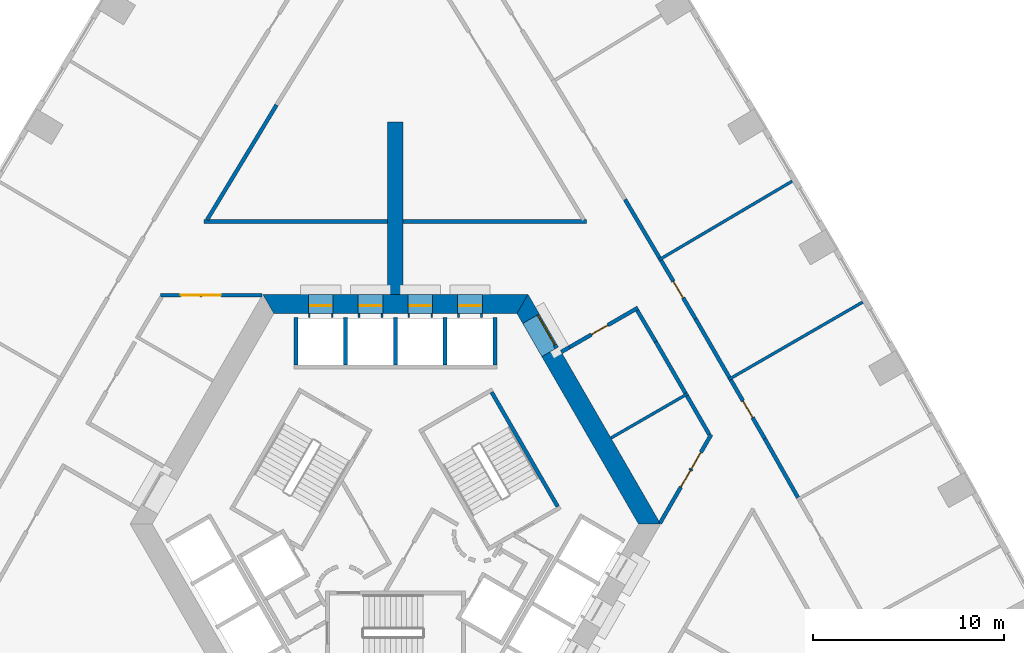
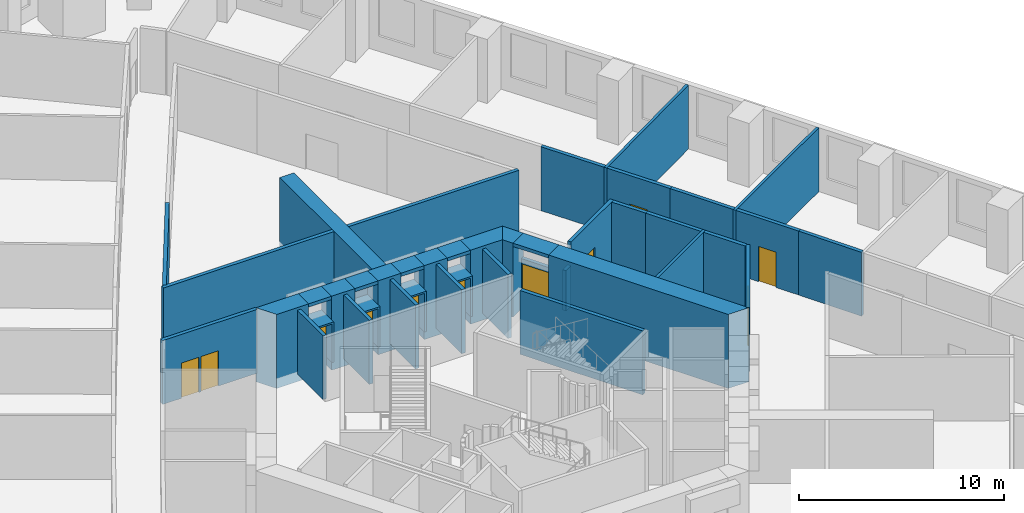
# One storey, part 9 of 15: 42 walls, 12 doors, 12 openings.
"""IFC4 building model written with IfcOpenShell, lengths in metres."""

from ifc_helpers import new_model, si_unit, direction, frame, frame_2d, origin, place, context, subcontext, project, spatial, polyline, rectangle, outline, extrude, material, layer, layer_set, type_object, element, fill, save


model = new_model("IFC4")

# Units and contexts
model_context = context("Model", 3, precision=1e-05, world=origin(), true_north=direction((0.0, 1.0)))
body_context = subcontext(model_context, "Body", "Model", "MODEL_VIEW")
ifc_project = project(units=[si_unit("LENGTHUNIT", "METRE"), si_unit("AREAUNIT", "SQUARE_METRE"), si_unit("VOLUMEUNIT", "CUBIC_METRE"), si_unit("PLANEANGLEUNIT", "RADIAN"), si_unit("MASSUNIT", "GRAM", prefix="KILO")], contexts=[model_context])

# Site, building, storey
site_placement = place(None, origin())
site = spatial("IfcSite", under=ifc_project, at=site_placement, CompositionType="ELEMENT")
building_placement = place(site_placement, origin())
building = spatial("IfcBuilding", under=site, at=building_placement, Name="Entoto Arch Interchange Tower", CompositionType="ELEMENT")
storey_placement = place(building_placement, frame((0.0, 0.0, 35.0)))
storey = spatial("IfcBuildingStorey", under=building, at=storey_placement, Name="L06", CompositionType="ELEMENT", Elevation=35.0)

# Wall
ifc_material_1 = material(Name="Concrete C60/75", Category="concrete")
ifc_layer_1 = layer(ifc_material_1, 0.800048828125)
ifc_layer_set_1 = layer_set([ifc_layer_1], Name="Concrete C60/75")
wall_type_1 = type_object("IfcWallType", Name="Buttress wall 800 C60/75", PredefinedType="SHEAR", material=ifc_layer_set_1)
wall_1_placement = place(storey_placement, frame((0.0, 14.5, -0.60009765625), z_axis=(0.0, 0.0, 1.0), x_axis=(0.0, 1.0, 0.0)))
element("IfcWall", 1, at=wall_1_placement, inside=storey, type_object=wall_type_1, Name="Buttress wall N L06", PredefinedType="SHEAR", context=body_context, shape_type="SweptSolid", body=[
    extrude(rectangle(XDim=9.0, YDim=0.800048828125, at=frame_2d((4.5, 0.0))), origin(), (0.0, 0.0, 1.0), 4.400146484375),
])

# Wall, opening, door
ifc_material_2 = material(Name="Reinforced concrete C40/50", Category="concrete")
ifc_layer_2 = layer(ifc_material_2, 0.199951171875)
ifc_layer_set_2 = layer_set([ifc_layer_2], Name="Reinforced concrete C40/50")
wall_type_2 = type_object("IfcWallType", Name="CORE GAP INFILL WALL", PredefinedType="PARTITIONING", material=ifc_layer_set_2)
wall_2_placement = place(storey_placement, frame((8.429931640625, 11.697998046875, 0.0), z_axis=(0.0, 0.0, 1.0), x_axis=(-0.50002537861, 0.866010750942, 0.0)))
wall_2 = element("IfcWall", 2, at=wall_2_placement, inside=storey, type_object=wall_type_2, Name="wall:L06:gap2", PredefinedType="PARTITIONING", context=body_context, shape_type="SweptSolid", body=[
    extrude(rectangle(XDim=2.0, YDim=0.199951171875, at=frame_2d((1.0, 0.0))), origin(), (0.0, 0.0, 1.0), 2.39990234375),
])
opening_1_placement = place(wall_2_placement, frame((0.18994140625, 0.0, 0.0)))
opening_1 = element("IfcOpeningElement", 3, at=opening_1_placement, cuts=wall_2, Name="Opening L06-D92", PredefinedType="OPENING", context=body_context, shape_type="SweptSolid", body=[
    extrude(rectangle(XDim=1.800048828125, YDim=2.10009765625, at=frame_2d((0.89990234375, 1.050048828125))), frame((0.0, 0.10986328125, 0.0), z_axis=(0.0, -1.0, 0.0), x_axis=(1.0, 0.0, 0.0)), (0.0, 0.0, 1.0), 0.219970703125),
])
ifc_material_3 = material(Name="Fire-rated Steel S235 door and frame", Category="steel")
door_type_1 = type_object("IfcDoorType", Name="DOOR FD-18 1800x2100", OperationType="DOUBLE_DOOR_SINGLE_SWING", PredefinedType="DOOR", material=ifc_material_3)
door_1_placement = place(opening_1_placement, origin())
door_1 = element("IfcDoor", 4, at=door_1_placement, inside=storey, type_object=door_type_1, Name="door:L06:gap2", OperationType="DOUBLE_DOOR_SINGLE_SWING", OverallHeight=2.10009765625, OverallWidth=1.800048828125, PredefinedType="DOOR", context=body_context, shape_type="SweptSolid", body=[
    extrude(rectangle(XDim=1.800048828125, YDim=2.10009765625, at=frame_2d((0.89990234375, 1.050048828125))), frame((0.0, 0.02490234375, 0.0), z_axis=(0.0, -1.0, 0.0), x_axis=(1.0, 0.0, 0.0)), (0.0, 0.0, 1.0), 0.050048828125),
])
fill(opening_1, door_1)

# Walls
ifc_layer_3 = layer(ifc_material_1, 1.0)
ifc_layer_set_3 = layer_set([ifc_layer_3], Name="Concrete C60/75")
wall_type_3 = type_object("IfcWallType", Name="Core wall 1000 C60/75", PredefinedType="SHEAR", material=ifc_layer_set_3)
wall_3_placement = place(storey_placement, frame((0.0, 0.0, -0.60009765625)))
element("IfcWall", 5, at=wall_3_placement, inside=storey, type_object=wall_type_3, Name="Core wall NE L06", PredefinedType="SHEAR", context=body_context, shape_type="SweptSolid", body=[
    extrude(outline(polyline([(8.51708984375, 11.748046875), (7.65087890625, 11.248046875), (12.701904296875, 2.5), (13.85595703125, 2.5), (8.51708984375, 11.748046875)])), origin(), (0.0, 0.0, 1.0), 4.400146484375),
])
wall_4_placement = place(storey_placement, frame((0.0, 0.0, -0.60009765625)))
element("IfcWall", 6, at=wall_4_placement, inside=storey, type_object=wall_type_3, Name="Core wall NE L06", PredefinedType="SHEAR", context=body_context, shape_type="SweptSolid", body=[
    extrude(outline(polyline([(6.65087890625, 12.97998046875), (7.51708984375, 13.47998046875), (6.927978515625, 14.5), (6.35107421875, 13.5), (6.65087890625, 12.97998046875)])), origin(), (0.0, 0.0, 1.0), 4.400146484375),
])
wall_5_placement = place(storey_placement, frame((0.0, 0.0, 3.60009765625)))
element("IfcWall", 7, at=wall_5_placement, inside=storey, type_object=wall_type_3, Name="Core wall lintel NE L06", PredefinedType="SHEAR", context=body_context, shape_type="SweptSolid", body=[
    extrude(outline(polyline([(7.51708984375, 13.47998046875), (6.65087890625, 12.97998046875), (7.65087890625, 11.248046875), (8.51708984375, 11.748046875), (7.51708984375, 13.47998046875)])), origin(), (0.0, 0.0, 1.0), 0.199951171875),
])
wall_6_placement = place(storey_placement, frame((0.0, 0.0, -0.60009765625)))
element("IfcWall", 8, at=wall_6_placement, inside=storey, type_object=wall_type_3, Name="Core wall N L06", PredefinedType="SHEAR", context=body_context, shape_type="SweptSolid", body=[
    extrude(outline(polyline([(4.550048828125, 14.5), (4.550048828125, 13.5), (6.35107421875, 13.5), (6.927978515625, 14.5), (4.550048828125, 14.5)])), origin(), (0.0, 0.0, 1.0), 4.400146484375),
])
wall_7_placement = place(storey_placement, frame((0.0, 0.0, -0.60009765625)))
element("IfcWall", 9, at=wall_7_placement, inside=storey, type_object=wall_type_3, Name="Core wall N L06", PredefinedType="SHEAR", context=body_context, shape_type="SweptSolid", body=[
    extrude(outline(polyline([(1.949951171875, 14.5), (1.949951171875, 13.5), (3.25, 13.5), (3.25, 14.5), (1.949951171875, 14.5)])), origin(), (0.0, 0.0, 1.0), 4.400146484375),
])
wall_8_placement = place(storey_placement, frame((0.0, 0.0, -0.60009765625)))
element("IfcWall", 10, at=wall_8_placement, inside=storey, type_object=wall_type_3, Name="Core wall N L06", PredefinedType="SHEAR", context=body_context, shape_type="SweptSolid", body=[
    extrude(outline(polyline([(-0.64990234375, 14.5), (-0.64990234375, 13.5), (0.64990234375, 13.5), (0.64990234375, 14.5), (-0.64990234375, 14.5)])), origin(), (0.0, 0.0, 1.0), 4.400146484375),
])
wall_9_placement = place(storey_placement, frame((0.0, 0.0, -0.60009765625)))
element("IfcWall", 11, at=wall_9_placement, inside=storey, type_object=wall_type_3, Name="Core wall N L06", PredefinedType="SHEAR", context=body_context, shape_type="SweptSolid", body=[
    extrude(outline(polyline([(-3.25, 14.5), (-3.25, 13.5), (-1.949951171875, 13.5), (-1.949951171875, 14.5), (-3.25, 14.5)])), origin(), (0.0, 0.0, 1.0), 4.400146484375),
])
wall_10_placement = place(storey_placement, frame((0.0, 0.0, -0.60009765625)))
element("IfcWall", 12, at=wall_10_placement, inside=storey, type_object=wall_type_3, Name="Core wall N L06", PredefinedType="SHEAR", context=body_context, shape_type="SweptSolid", body=[
    extrude(outline(polyline([(-4.550048828125, 13.5), (-4.550048828125, 14.5), (-6.927978515625, 14.5), (-6.35107421875, 13.5), (-4.550048828125, 13.5)])), origin(), (0.0, 0.0, 1.0), 4.400146484375),
])
wall_11_placement = place(storey_placement, frame((0.0, 0.0, 3.60009765625)))
element("IfcWall", 13, at=wall_11_placement, inside=storey, type_object=wall_type_3, Name="Core wall lintel N L06", PredefinedType="SHEAR", context=body_context, shape_type="SweptSolid", body=[
    extrude(outline(polyline([(3.25, 14.5), (3.25, 13.5), (4.550048828125, 13.5), (4.550048828125, 14.5), (3.25, 14.5)])), origin(), (0.0, 0.0, 1.0), 0.199951171875),
])
wall_12_placement = place(storey_placement, frame((0.0, 0.0, 3.60009765625)))
element("IfcWall", 14, at=wall_12_placement, inside=storey, type_object=wall_type_3, Name="Core wall lintel N L06", PredefinedType="SHEAR", context=body_context, shape_type="SweptSolid", body=[
    extrude(outline(polyline([(0.64990234375, 14.5), (0.64990234375, 13.5), (1.949951171875, 13.5), (1.949951171875, 14.5), (0.64990234375, 14.5)])), origin(), (0.0, 0.0, 1.0), 0.199951171875),
])
wall_13_placement = place(storey_placement, frame((0.0, 0.0, 3.60009765625)))
element("IfcWall", 15, at=wall_13_placement, inside=storey, type_object=wall_type_3, Name="Core wall lintel N L06", PredefinedType="SHEAR", context=body_context, shape_type="SweptSolid", body=[
    extrude(outline(polyline([(-1.949951171875, 14.5), (-1.949951171875, 13.5), (-0.64990234375, 13.5), (-0.64990234375, 14.5), (-1.949951171875, 14.5)])), origin(), (0.0, 0.0, 1.0), 0.199951171875),
])
wall_14_placement = place(storey_placement, frame((0.0, 0.0, 3.60009765625)))
element("IfcWall", 16, at=wall_14_placement, inside=storey, type_object=wall_type_3, Name="Core wall lintel N L06", PredefinedType="SHEAR", context=body_context, shape_type="SweptSolid", body=[
    extrude(outline(polyline([(-4.550048828125, 14.5), (-4.550048828125, 13.5), (-3.25, 13.5), (-3.25, 14.5), (-4.550048828125, 14.5)])), origin(), (0.0, 0.0, 1.0), 0.199951171875),
])

# Wall, opening, door
ifc_material_4 = material(Name="Concrete C40/50", Category="concrete")
ifc_layer_4 = layer(ifc_material_4, 1.199951171875)
ifc_layer_set_4 = layer_set([ifc_layer_4], Name="Concrete C40/50")
wall_type_4 = type_object("IfcWallType", Name="LIFT LANDING INFILL WALL", PredefinedType="STANDARD", material=ifc_layer_set_4)
wall_15_placement = place(storey_placement, frame((4.550048828125, 13.89990234375, 0.0), z_axis=(0.0, 0.0, 1.0), x_axis=(-1.0, 0.0, 0.0)))
wall_15 = element("IfcWall", 17, at=wall_15_placement, inside=storey, type_object=wall_type_4, Name="Lift landing infill wall LR1 L06", PredefinedType="STANDARD", context=body_context, shape_type="SweptSolid", body=[
    extrude(rectangle(XDim=1.300048828125, YDim=1.199951171875, at=frame_2d((0.64990234375, 0.0))), origin(), (0.0, 0.0, 1.0), 2.39990234375),
])
opening_2_placement = place(wall_15_placement, frame((0.10009765625, 0.0, 0.0)))
opening_2 = element("IfcOpeningElement", 18, at=opening_2_placement, cuts=wall_15, Name="Opening LD-LR1-L06", PredefinedType="OPENING", context=body_context, shape_type="SweptSolid", body=[
    extrude(rectangle(XDim=1.10009765625, YDim=2.300048828125, at=frame_2d((0.550048828125, 1.14990234375))), frame((0.0, 0.60986328125, 0.0), z_axis=(0.0, -1.0, 0.0), x_axis=(1.0, 0.0, 0.0)), (0.0, 0.0, 1.0), 1.219970703125),
])
ifc_material_5 = material(Name="Stainless steel 1.4301 panels", Category="steel")
door_type_2 = type_object("IfcDoorType", Name="LIFT LANDING DOOR LD2 1100x2300", OperationType="SLIDING_TO_LEFT", PredefinedType="DOOR", material=ifc_material_5)
door_2_placement = place(opening_2_placement, origin())
door_2 = element("IfcDoor", 19, at=door_2_placement, inside=storey, type_object=door_type_2, Name="Lift landing door LR1 L06", OperationType="SLIDING_TO_LEFT", OverallHeight=2.300048828125, OverallWidth=1.10009765625, PredefinedType="DOOR", context=body_context, shape_type="SweptSolid", body=[
    extrude(rectangle(XDim=1.10009765625, YDim=2.300048828125, at=frame_2d((0.550048828125, 1.14990234375))), frame((0.0, 0.02490234375, 0.0), z_axis=(0.0, -1.0, 0.0), x_axis=(1.0, 0.0, 0.0)), (0.0, 0.0, 1.0), 0.050048828125),
])
fill(opening_2, door_2)

wall_16_placement = place(storey_placement, frame((1.949951171875, 13.89990234375, 0.0), z_axis=(0.0, 0.0, 1.0), x_axis=(-1.0, 0.0, 0.0)))
wall_16 = element("IfcWall", 20, at=wall_16_placement, inside=storey, type_object=wall_type_4, Name="Lift landing infill wall LR2 L06", PredefinedType="STANDARD", context=body_context, shape_type="SweptSolid", body=[
    extrude(rectangle(XDim=1.300048828125, YDim=1.199951171875, at=frame_2d((0.64990234375, 0.0))), origin(), (0.0, 0.0, 1.0), 2.39990234375),
])
opening_3_placement = place(wall_16_placement, frame((0.10009765625, 0.0, 0.0)))
opening_3 = element("IfcOpeningElement", 21, at=opening_3_placement, cuts=wall_16, Name="Opening LD-LR2-L06", PredefinedType="OPENING", context=body_context, shape_type="SweptSolid", body=[
    extrude(rectangle(XDim=1.10009765625, YDim=2.300048828125, at=frame_2d((0.550048828125, 1.14990234375))), frame((0.0, 0.60986328125, 0.0), z_axis=(0.0, -1.0, 0.0), x_axis=(1.0, 0.0, 0.0)), (0.0, 0.0, 1.0), 1.219970703125),
])
door_3_placement = place(opening_3_placement, origin())
door_3 = element("IfcDoor", 22, at=door_3_placement, inside=storey, type_object=door_type_2, Name="Lift landing door LR2 L06", OperationType="SLIDING_TO_LEFT", OverallHeight=2.300048828125, OverallWidth=1.10009765625, PredefinedType="DOOR", context=body_context, shape_type="SweptSolid", body=[
    extrude(rectangle(XDim=1.10009765625, YDim=2.300048828125, at=frame_2d((0.550048828125, 1.14990234375))), frame((0.0, 0.02490234375, 0.0), z_axis=(0.0, -1.0, 0.0), x_axis=(1.0, 0.0, 0.0)), (0.0, 0.0, 1.0), 0.050048828125),
])
fill(opening_3, door_3)

wall_17_placement = place(storey_placement, frame((-0.64990234375, 13.89990234375, 0.0), z_axis=(0.0, 0.0, 1.0), x_axis=(-1.0, 0.0, 0.0)))
wall_17 = element("IfcWall", 23, at=wall_17_placement, inside=storey, type_object=wall_type_4, Name="Lift landing infill wall LR3 L06", PredefinedType="STANDARD", context=body_context, shape_type="SweptSolid", body=[
    extrude(rectangle(XDim=1.300048828125, YDim=1.199951171875, at=frame_2d((0.64990234375, 0.0))), origin(), (0.0, 0.0, 1.0), 2.39990234375),
])
opening_4_placement = place(wall_17_placement, frame((0.10009765625, 0.0, 0.0)))
opening_4 = element("IfcOpeningElement", 24, at=opening_4_placement, cuts=wall_17, Name="Opening LD-LR3-L06", PredefinedType="OPENING", context=body_context, shape_type="SweptSolid", body=[
    extrude(rectangle(XDim=1.10009765625, YDim=2.300048828125, at=frame_2d((0.550048828125, 1.14990234375))), frame((0.0, 0.60986328125, 0.0), z_axis=(0.0, -1.0, 0.0), x_axis=(1.0, 0.0, 0.0)), (0.0, 0.0, 1.0), 1.219970703125),
])
door_4_placement = place(opening_4_placement, origin())
door_4 = element("IfcDoor", 25, at=door_4_placement, inside=storey, type_object=door_type_2, Name="Lift landing door LR3 L06", OperationType="SLIDING_TO_LEFT", OverallHeight=2.300048828125, OverallWidth=1.10009765625, PredefinedType="DOOR", context=body_context, shape_type="SweptSolid", body=[
    extrude(rectangle(XDim=1.10009765625, YDim=2.300048828125, at=frame_2d((0.550048828125, 1.14990234375))), frame((0.0, 0.02490234375, 0.0), z_axis=(0.0, -1.0, 0.0), x_axis=(1.0, 0.0, 0.0)), (0.0, 0.0, 1.0), 0.050048828125),
])
fill(opening_4, door_4)

wall_18_placement = place(storey_placement, frame((-3.25, 13.89990234375, 0.0), z_axis=(0.0, 0.0, 1.0), x_axis=(-1.0, 0.0, 0.0)))
wall_18 = element("IfcWall", 26, at=wall_18_placement, inside=storey, type_object=wall_type_4, Name="Lift landing infill wall LR4 L06", PredefinedType="STANDARD", context=body_context, shape_type="SweptSolid", body=[
    extrude(rectangle(XDim=1.300048828125, YDim=1.199951171875, at=frame_2d((0.64990234375, 0.0))), origin(), (0.0, 0.0, 1.0), 2.39990234375),
])
opening_5_placement = place(wall_18_placement, frame((0.10009765625, 0.0, 0.0)))
opening_5 = element("IfcOpeningElement", 27, at=opening_5_placement, cuts=wall_18, Name="Opening LD-LR4-L06", PredefinedType="OPENING", context=body_context, shape_type="SweptSolid", body=[
    extrude(rectangle(XDim=1.10009765625, YDim=2.300048828125, at=frame_2d((0.550048828125, 1.14990234375))), frame((0.0, 0.60986328125, 0.0), z_axis=(0.0, -1.0, 0.0), x_axis=(1.0, 0.0, 0.0)), (0.0, 0.0, 1.0), 1.219970703125),
])
door_5_placement = place(opening_5_placement, origin())
door_5 = element("IfcDoor", 28, at=door_5_placement, inside=storey, type_object=door_type_2, Name="Lift landing door LR4 L06", OperationType="SLIDING_TO_LEFT", OverallHeight=2.300048828125, OverallWidth=1.10009765625, PredefinedType="DOOR", context=body_context, shape_type="SweptSolid", body=[
    extrude(rectangle(XDim=1.10009765625, YDim=2.300048828125, at=frame_2d((0.550048828125, 1.14990234375))), frame((0.0, 0.02490234375, 0.0), z_axis=(0.0, -1.0, 0.0), x_axis=(1.0, 0.0, 0.0)), (0.0, 0.0, 1.0), 0.050048828125),
])
fill(opening_5, door_5)

# Walls
ifc_layer_5 = layer(ifc_material_4, 0.199951171875)
ifc_layer_set_5 = layer_set([ifc_layer_5], Name="Concrete C40/50")
wall_type_5 = type_object("IfcWallType", Name="LIFT SHAFT WALL 200", PredefinedType="STANDARD", material=ifc_layer_set_5)
for number, where, z_axis, x_axis, name in (
    (29, (5.199951171875, 10.800048828125, 0.0), (0.0, 0.0, 1.0), (0.0, 1.0, 0.0), "Shaft wall N3 cross 1"),
    (30, (2.60009765625, 10.800048828125, 0.0), (0.0, 0.0, 1.0), (0.0, 1.0, 0.0), "Shaft wall N3 cross 2"),
    (31, (0.0, 10.800048828125, 0.0), (0.0, 0.0, 1.0), (0.0, 1.0, 0.0), "Shaft wall N3 cross 3"),
    (32, (-2.60009765625, 10.800048828125, 0.0), (0.0, 0.0, 1.0), (0.0, 1.0, 0.0), "Shaft wall N3 cross 4"),
    (33, (-5.199951171875, 10.800048828125, 0.0), (0.0, 0.0, 1.0), (0.0, 1.0, 0.0), "Shaft wall N3 cross 5"),
):
    element("IfcWall", number, at=place(storey_placement, frame(where, z_axis=z_axis, x_axis=x_axis)), inside=storey, type_object=wall_type_5, Name=name, PredefinedType="STANDARD", context=body_context, shape_type="SweptSolid", body=[
        extrude(rectangle(XDim=2.5, YDim=0.199951171875, at=frame_2d((1.25, 0.0))), origin(), (0.0, 0.0, 1.0), 3.800048828125),
    ])
ifc_material_6 = material(Name="Gypsum board partition on steel studs", Category="steel")
ifc_layer_6 = layer(ifc_material_6, 0.14990234375)
ifc_layer_set_6 = layer_set([ifc_layer_6], Name="Gypsum board partition on steel studs")
wall_type_6 = type_object("IfcWallType", Name="PARTITION 150", PredefinedType="PARTITIONING", material=ifc_layer_set_6)
wall_19_placement = place(storey_placement, frame((15.281005859375, 9.31494140625, 0.0), z_axis=(0.0, 0.0, 1.0), x_axis=(-0.86601742213, -0.500013824377, 0.0)))
element("IfcWall", 34, at=wall_19_placement, inside=storey, type_object=wall_type_6, Name="wall:L06:p086", PredefinedType="PARTITIONING", context=body_context, shape_type="SweptSolid", body=[
    extrude(rectangle(XDim=4.641845703125, YDim=0.14990234375, at=frame_2d((2.32080078125, 0.0))), origin(), (0.0, 0.0, 1.0), 3.800048828125),
])
wall_20_placement = place(storey_placement, frame((17.39892578125, 10.044921875, 0.0), z_axis=(0.0, 0.0, 1.0), x_axis=(0.865980803489, 0.500077242023, 0.0)))
element("IfcWall", 35, at=wall_20_placement, inside=storey, type_object=wall_type_6, Name="wall:L06:p131", PredefinedType="PARTITIONING", context=body_context, shape_type="SweptSolid", body=[
    extrude(rectangle(XDim=8.100830078125, YDim=0.14990234375, at=frame_2d((4.05029296875, 0.0))), origin(), (0.0, 0.0, 1.0), 3.800048828125),
])
wall_21_placement = place(storey_placement, frame((13.751953125, 16.2890625, 0.0), z_axis=(0.0, 0.0, 1.0), x_axis=(0.86093852802, 0.508709004216, 0.0)))
element("IfcWall", 36, at=wall_21_placement, inside=storey, type_object=wall_type_6, Name="wall:L06:p132", PredefinedType="PARTITIONING", context=body_context, shape_type="SweptSolid", body=[
    extrude(rectangle(XDim=8.1005859375, YDim=0.14990234375, at=frame_2d((4.05029296875, 0.0))), origin(), (0.0, 0.0, 1.0), 3.800048828125),
])
ifc_layer_7 = layer(ifc_material_6, 0.199951171875)
ifc_layer_set_7 = layer_set([ifc_layer_7], Name="Gypsum board partition on steel studs")
wall_type_7 = type_object("IfcWallType", Name="PARTITION 200", PredefinedType="PARTITIONING", material=ifc_layer_set_7)
wall_22_placement = place(storey_placement, frame((15.156982421875, 9.330078125, 0.0), z_axis=(0.0, 0.0, 1.0), x_axis=(-0.500058580706, 0.865991579556, 0.0)))
element("IfcWall", 37, at=wall_22_placement, inside=storey, type_object=wall_type_7, Name="wall:L06:p004", PredefinedType="PARTITIONING", context=body_context, shape_type="SweptSolid", body=[
    extrude(rectangle(XDim=3.101806640625, YDim=0.199951171875, at=frame_2d((1.55078125, 0.0))), origin(), (0.0, 0.0, 1.0), 3.800048828125),
])
wall_23_placement = place(storey_placement, frame((13.60595703125, 12.01611328125, 0.0), z_axis=(0.0, 0.0, 1.0), x_axis=(-0.508832553058, 0.860865513857, 0.0)))
element("IfcWall", 38, at=wall_23_placement, inside=storey, type_object=wall_type_7, Name="wall:L06:p005", PredefinedType="PARTITIONING", context=body_context, shape_type="SweptSolid", body=[
    extrude(rectangle(XDim=1.912109375, YDim=0.199951171875, at=frame_2d((0.9560546875, 0.0))), origin(), (0.0, 0.0, 1.0), 3.800048828125),
])

# Wall, opening, door
wall_24_placement = place(storey_placement, frame((12.6689453125, 13.799072265625, 0.0), z_axis=(0.0, 0.0, 1.0), x_axis=(-0.865966559136, -0.500101908074, 0.0)))
wall_24 = element("IfcWall", 39, at=wall_24_placement, inside=storey, type_object=wall_type_7, Name="wall:L06:p006", PredefinedType="PARTITIONING", context=body_context, shape_type="SweptSolid", body=[
    extrude(rectangle(XDim=4.121337890625, YDim=0.199951171875, at=frame_2d((2.060546875, 0.0))), origin(), (0.0, 0.0, 1.0), 3.800048828125),
])
opening_6_placement = place(wall_24_placement, frame((1.81005859375, 0.0, 0.0)))
opening_6 = element("IfcOpeningElement", 40, at=opening_6_placement, cuts=wall_24, Name="Opening L06-D36", PredefinedType="OPENING", context=body_context, shape_type="SweptSolid", body=[
    extrude(rectangle(XDim=1.0, YDim=2.10009765625, at=frame_2d((0.5, 1.050048828125))), frame((0.0, 0.10986328125, 0.0), z_axis=(0.0, -1.0, 0.0), x_axis=(1.0, 0.0, 0.0)), (0.0, 0.0, 1.0), 0.219970703125),
])
ifc_material_7 = material(Name="Timber door leaf in Steel S235 frame", Category="steel")
door_type_3 = type_object("IfcDoorType", Name="DOOR DS-10 1000x2100", OperationType="SINGLE_SWING_LEFT", PredefinedType="DOOR", material=ifc_material_7)
door_6_placement = place(opening_6_placement, origin())
door_6 = element("IfcDoor", 41, at=door_6_placement, inside=storey, type_object=door_type_3, Name="door:L06:36", OperationType="SINGLE_SWING_LEFT", OverallHeight=2.10009765625, OverallWidth=1.0, PredefinedType="DOOR", context=body_context, shape_type="SweptSolid", body=[
    extrude(rectangle(XDim=1.0, YDim=2.10009765625, at=frame_2d((0.5, 1.050048828125))), frame((0.0, 0.02490234375, 0.0), z_axis=(0.0, -1.0, 0.0), x_axis=(1.0, 0.0, 0.0)), (0.0, 0.0, 1.0), 0.050048828125),
])
fill(opening_6, door_6)

# Walls
wall_25_placement = place(storey_placement, frame((16.39892578125, 7.177978515625, 0.0), z_axis=(0.0, 0.0, 1.0), x_axis=(-0.499873332494, 0.866098522953, 0.0)))
element("IfcWall", 42, at=wall_25_placement, inside=storey, type_object=wall_type_7, Name="wall:L06:p007", PredefinedType="PARTITIONING", context=body_context, shape_type="SweptSolid", body=[
    extrude(rectangle(XDim=2.33447265625, YDim=0.199951171875, at=frame_2d((1.167236328125, 0.0))), origin(), (0.0, 0.0, 1.0), 3.800048828125),
])
wall_26_placement = place(storey_placement, frame((-6.208984375, 24.39208984375, 0.0), z_axis=(0.0, 0.0, 1.0), x_axis=(-0.51736780002, -0.85576314451, 0.0)))
element("IfcWall", 43, at=wall_26_placement, inside=storey, type_object=wall_type_7, Name="wall:L06:p013", PredefinedType="PARTITIONING", context=body_context, shape_type="SweptSolid", body=[
    extrude(rectangle(XDim=7.018310546875, YDim=0.199951171875, at=frame_2d((3.50927734375, 0.0))), origin(), (0.0, 0.0, 1.0), 3.800048828125),
])

# Wall, opening, door
wall_27_placement = place(storey_placement, frame((17.52392578125, 10.031005859375, 0.0), z_axis=(0.0, 0.0, 1.0), x_axis=(0.499861717316, -0.86610522661, 0.0)))
wall_27 = element("IfcWall", 44, at=wall_27_placement, inside=storey, type_object=wall_type_7, Name="wall:L06:p045", PredefinedType="PARTITIONING", context=body_context, shape_type="SweptSolid", body=[
    extrude(rectangle(XDim=3.541015625, YDim=0.199951171875, at=frame_2d((1.7705078125, 0.0))), origin(), (0.0, 0.0, 1.0), 3.800048828125),
])
opening_7_placement = place(wall_27_placement, frame((1.27001953125, 0.0, 0.0)))
opening_7 = element("IfcOpeningElement", 45, at=opening_7_placement, cuts=wall_27, Name="Opening L06-D06", PredefinedType="OPENING", context=body_context, shape_type="SweptSolid", body=[
    extrude(rectangle(XDim=1.0, YDim=2.10009765625, at=frame_2d((0.5, 1.050048828125))), frame((0.0, 0.10986328125, 0.0), z_axis=(0.0, -1.0, 0.0), x_axis=(1.0, 0.0, 0.0)), (0.0, 0.0, 1.0), 0.219970703125),
])
door_7_placement = place(opening_7_placement, origin())
door_7 = element("IfcDoor", 46, at=door_7_placement, inside=storey, type_object=door_type_3, Name="door:L06:06", OperationType="SINGLE_SWING_LEFT", OverallHeight=2.10009765625, OverallWidth=1.0, PredefinedType="DOOR", context=body_context, shape_type="SweptSolid", body=[
    extrude(rectangle(XDim=1.0, YDim=2.10009765625, at=frame_2d((0.5, 1.050048828125))), frame((0.0, 0.02490234375, 0.0), z_axis=(0.0, -1.0, 0.0), x_axis=(1.0, 0.0, 0.0)), (0.0, 0.0, 1.0), 0.050048828125),
])
fill(opening_7, door_7)

# Wall
wall_28_placement = place(storey_placement, frame((19.2939453125, 6.964111328125, 0.0), z_axis=(0.0, 0.0, 1.0), x_axis=(0.491148159943, -0.871076050058, 0.0)))
element("IfcWall", 47, at=wall_28_placement, inside=storey, type_object=wall_type_7, Name="wall:L06:p046", PredefinedType="PARTITIONING", context=body_context, shape_type="SweptSolid", body=[
    extrude(rectangle(XDim=3.540771484375, YDim=0.199951171875, at=frame_2d((1.7705078125, 0.0))), origin(), (0.0, 0.0, 1.0), 3.800048828125),
])

# Wall, opening, door
wall_29_placement = place(storey_placement, frame((13.876953125, 16.27490234375, 0.0), z_axis=(0.0, 0.0, 1.0), x_axis=(0.508613166028, -0.860995149431, 0.0)))
wall_29 = element("IfcWall", 48, at=wall_29_placement, inside=storey, type_object=wall_type_7, Name="wall:L06:p047", PredefinedType="PARTITIONING", context=body_context, shape_type="SweptSolid", body=[
    extrude(rectangle(XDim=3.541015625, YDim=0.199951171875, at=frame_2d((1.7705078125, 0.0))), origin(), (0.0, 0.0, 1.0), 3.800048828125),
])
opening_8_placement = place(wall_29_placement, frame((1.27099609375, 0.0, 0.0)))
opening_8 = element("IfcOpeningElement", 49, at=opening_8_placement, cuts=wall_29, Name="Opening L06-D07", PredefinedType="OPENING", context=body_context, shape_type="SweptSolid", body=[
    extrude(rectangle(XDim=1.0, YDim=2.10009765625, at=frame_2d((0.5, 1.050048828125))), frame((0.0, 0.10986328125, 0.0), z_axis=(0.0, -1.0, 0.0), x_axis=(1.0, 0.0, 0.0)), (0.0, 0.0, 1.0), 0.219970703125),
])
door_8_placement = place(opening_8_placement, origin())
door_8 = element("IfcDoor", 50, at=door_8_placement, inside=storey, type_object=door_type_3, Name="door:L06:07", OperationType="SINGLE_SWING_LEFT", OverallHeight=2.10009765625, OverallWidth=1.0, PredefinedType="DOOR", context=body_context, shape_type="SweptSolid", body=[
    extrude(rectangle(XDim=1.0, YDim=2.10009765625, at=frame_2d((0.5, 1.050048828125))), frame((0.0, 0.02490234375, 0.0), z_axis=(0.0, -1.0, 0.0), x_axis=(1.0, 0.0, 0.0)), (0.0, 0.0, 1.0), 0.050048828125),
])
fill(opening_8, door_8)

# Walls
wall_30_placement = place(storey_placement, frame((15.677978515625, 13.22607421875, 0.0), z_axis=(0.0, 0.0, 1.0), x_axis=(0.499951278228, -0.866053531485, 0.0)))
element("IfcWall", 51, at=wall_30_placement, inside=storey, type_object=wall_type_7, Name="wall:L06:p048", PredefinedType="PARTITIONING", context=body_context, shape_type="SweptSolid", body=[
    extrude(rectangle(XDim=3.540283203125, YDim=0.199951171875, at=frame_2d((1.77001953125, 0.0))), origin(), (0.0, 0.0, 1.0), 3.800048828125),
])
wall_31_placement = place(storey_placement, frame((11.998046875, 19.4541015625, 0.0), z_axis=(0.0, 0.0, 1.0), x_axis=(0.508666621784, -0.860963569428, 0.0)))
element("IfcWall", 52, at=wall_31_placement, inside=storey, type_object=wall_type_7, Name="wall:L06:p050", PredefinedType="PARTITIONING", context=body_context, shape_type="SweptSolid", body=[
    extrude(rectangle(XDim=3.54248046875, YDim=0.199951171875, at=frame_2d((1.771240234375, 0.0))), origin(), (0.0, 0.0, 1.0), 3.800048828125),
])

# Wall, openings, doors
wall_32_placement = place(storey_placement, frame((-6.95703125, 14.449951171875, 0.0), z_axis=(0.0, 0.0, 1.0), x_axis=(-1.0, 0.0, 0.0)))
wall_32 = element("IfcWall", 53, at=wall_32_placement, inside=storey, type_object=wall_type_7, Name="wall:L06:p085", PredefinedType="PARTITIONING", context=body_context, shape_type="SweptSolid", body=[
    extrude(rectangle(XDim=5.31005859375, YDim=0.199951171875, at=frame_2d((2.655029296875, 0.0))), origin(), (0.0, 0.0, 1.0), 3.800048828125),
])
opening_9_placement = place(wall_32_placement, frame((2.155029296875, 0.0, 0.0)))
opening_9 = element("IfcOpeningElement", 54, at=opening_9_placement, cuts=wall_32, Name="Opening L06-D35", PredefinedType="OPENING", context=body_context, shape_type="SweptSolid", body=[
    extrude(rectangle(XDim=1.0, YDim=2.10009765625, at=frame_2d((0.5, 1.050048828125))), frame((0.0, 0.10986328125, 0.0), z_axis=(0.0, -1.0, 0.0), x_axis=(1.0, 0.0, 0.0)), (0.0, 0.0, 1.0), 0.219970703125),
])
opening_10_placement = place(wall_32_placement, frame((3.2548828125, 0.0, 0.0)))
opening_10 = element("IfcOpeningElement", 55, at=opening_10_placement, cuts=wall_32, Name="Opening L06-D43", PredefinedType="OPENING", context=body_context, shape_type="SweptSolid", body=[
    extrude(rectangle(XDim=1.0, YDim=2.10009765625, at=frame_2d((0.5, 1.050048828125))), frame((0.0, 0.10986328125, 0.0), z_axis=(0.0, -1.0, 0.0), x_axis=(1.0, 0.0, 0.0)), (0.0, 0.0, 1.0), 0.219970703125),
])
door_9_placement = place(opening_9_placement, origin())
door_9 = element("IfcDoor", 56, at=door_9_placement, inside=storey, type_object=door_type_3, Name="door:L06:35", OperationType="SINGLE_SWING_LEFT", OverallHeight=2.10009765625, OverallWidth=1.0, PredefinedType="DOOR", context=body_context, shape_type="SweptSolid", body=[
    extrude(rectangle(XDim=1.0, YDim=2.10009765625, at=frame_2d((0.5, 1.050048828125))), frame((0.0, 0.02490234375, 0.0), z_axis=(0.0, -1.0, 0.0), x_axis=(1.0, 0.0, 0.0)), (0.0, 0.0, 1.0), 0.050048828125),
])
fill(opening_9, door_9)
door_10_placement = place(opening_10_placement, origin())
door_10 = element("IfcDoor", 57, at=door_10_placement, inside=storey, type_object=door_type_3, Name="door:L06:43", OperationType="SINGLE_SWING_RIGHT", OverallHeight=2.10009765625, OverallWidth=1.0, PredefinedType="DOOR", context=body_context, shape_type="SweptSolid", body=[
    extrude(rectangle(XDim=1.0, YDim=2.10009765625, at=frame_2d((0.5, 1.050048828125))), frame((0.0, 0.02490234375, 0.0), z_axis=(0.0, -1.0, 0.0), x_axis=(1.0, 0.0, 0.0)), (0.0, 0.0, 1.0), 0.050048828125),
])
fill(opening_10, door_10)

wall_33_placement = place(storey_placement, frame((13.826904296875, 2.550048828125, 0.0), z_axis=(0.0, 0.0, 1.0), x_axis=(0.50002563942, 0.866010600352, 0.0)))
wall_33 = element("IfcWall", 58, at=wall_33_placement, inside=storey, type_object=wall_type_7, Name="wall:L06:p087", PredefinedType="PARTITIONING", context=body_context, shape_type="SweptSolid", body=[
    extrude(rectangle(XDim=5.343994140625, YDim=0.199951171875, at=frame_2d((2.671875, 0.0))), origin(), (0.0, 0.0, 1.0), 3.800048828125),
])
opening_11_placement = place(wall_33_placement, frame((2.172119140625, 0.0, 0.0)))
opening_11 = element("IfcOpeningElement", 59, at=opening_11_placement, cuts=wall_33, Name="Opening L06-D37", PredefinedType="OPENING", context=body_context, shape_type="SweptSolid", body=[
    extrude(rectangle(XDim=1.0, YDim=2.10009765625, at=frame_2d((0.5, 1.050048828125))), frame((0.0, 0.10986328125, 0.0), z_axis=(0.0, -1.0, 0.0), x_axis=(1.0, 0.0, 0.0)), (0.0, 0.0, 1.0), 0.219970703125),
])
opening_12_placement = place(wall_33_placement, frame((3.27197265625, 0.0, 0.0)))
opening_12 = element("IfcOpeningElement", 60, at=opening_12_placement, cuts=wall_33, Name="Opening L06-D44", PredefinedType="OPENING", context=body_context, shape_type="SweptSolid", body=[
    extrude(rectangle(XDim=1.0, YDim=2.10009765625, at=frame_2d((0.5, 1.050048828125))), frame((0.0, 0.10986328125, 0.0), z_axis=(0.0, -1.0, 0.0), x_axis=(1.0, 0.0, 0.0)), (0.0, 0.0, 1.0), 0.219970703125),
])
door_11_placement = place(opening_11_placement, origin())
door_11 = element("IfcDoor", 61, at=door_11_placement, inside=storey, type_object=door_type_3, Name="door:L06:37", OperationType="SINGLE_SWING_LEFT", OverallHeight=2.10009765625, OverallWidth=1.0, PredefinedType="DOOR", context=body_context, shape_type="SweptSolid", body=[
    extrude(rectangle(XDim=1.0, YDim=2.10009765625, at=frame_2d((0.5, 1.050048828125))), frame((0.0, 0.02490234375, 0.0), z_axis=(0.0, -1.0, 0.0), x_axis=(1.0, 0.0, 0.0)), (0.0, 0.0, 1.0), 0.050048828125),
])
fill(opening_11, door_11)
door_12_placement = place(opening_12_placement, origin())
door_12 = element("IfcDoor", 62, at=door_12_placement, inside=storey, type_object=door_type_3, Name="door:L06:44", OperationType="SINGLE_SWING_RIGHT", OverallHeight=2.10009765625, OverallWidth=1.0, PredefinedType="DOOR", context=body_context, shape_type="SweptSolid", body=[
    extrude(rectangle(XDim=1.0, YDim=2.10009765625, at=frame_2d((0.5, 1.050048828125))), frame((0.0, 0.02490234375, 0.0), z_axis=(0.0, -1.0, 0.0), x_axis=(1.0, 0.0, 0.0)), (0.0, 0.0, 1.0), 0.050048828125),
])
fill(opening_12, door_12)

# Walls
for number, where, z_axis, x_axis, name in (
    (63, (-9.991943359375, 18.300048828125, 0.0), (0.0, 0.0, 1.0), (1.0, 0.0, 0.0), "wall:L06:p110"),
    (64, (0.39990234375, 18.300048828125, 0.0), (0.0, 0.0, 1.0), (1.0, 0.0, 0.0), "wall:L06:p110"),
):
    element("IfcWall", number, at=place(storey_placement, frame(where, z_axis=z_axis, x_axis=x_axis)), inside=storey, type_object=wall_type_7, Name=name, PredefinedType="PARTITIONING", context=body_context, shape_type="SweptSolid", body=[
        extrude(rectangle(XDim=9.592041015625, YDim=0.199951171875, at=frame_2d((4.7958984375, 0.0))), origin(), (0.0, 0.0, 1.0), 3.800048828125),
    ])
wall_34_placement = place(storey_placement, frame((9.10009765625, 11.738037109375, 0.0), z_axis=(0.0, 0.0, 1.0), x_axis=(-0.866071776036, -0.499919672301, 0.0)))
element("IfcWall", 65, at=wall_34_placement, inside=storey, type_object=wall_type_7, Name="wall:L06:p006", PredefinedType="PARTITIONING", context=body_context, shape_type="SweptSolid", body=[
    extrude(rectangle(XDim=0.5, YDim=0.199951171875, at=frame_2d((0.25, 0.0))), origin(), (0.0, 0.0, 1.0), 2.39990234375),
])
ifc_layer_8 = layer(ifc_material_4, 0.199951171875)
ifc_layer_set_8 = layer_set([ifc_layer_8], Name="Concrete C40/50")
wall_type_8 = type_object("IfcWallType", Name="STAIR ENCLOSURE WALL 200", PredefinedType="STANDARD", material=ifc_layer_set_8)
wall_35_placement = place(storey_placement, frame((8.47998046875, 3.412109375, 0.0), z_axis=(0.0, 0.0, 1.0), x_axis=(-0.499978703459, 0.866037698999, 0.0)))
element("IfcWall", 66, at=wall_35_placement, inside=storey, type_object=wall_type_8, Name="Stair wall ST-NE back", PredefinedType="STANDARD", context=body_context, shape_type="SweptSolid", body=[
    extrude(rectangle(XDim=6.900146484375, YDim=0.199951171875, at=frame_2d((3.4501953125, 0.0))), origin(), (0.0, 0.0, 1.0), 3.800048828125),
])

save(model, "model.ifc")
